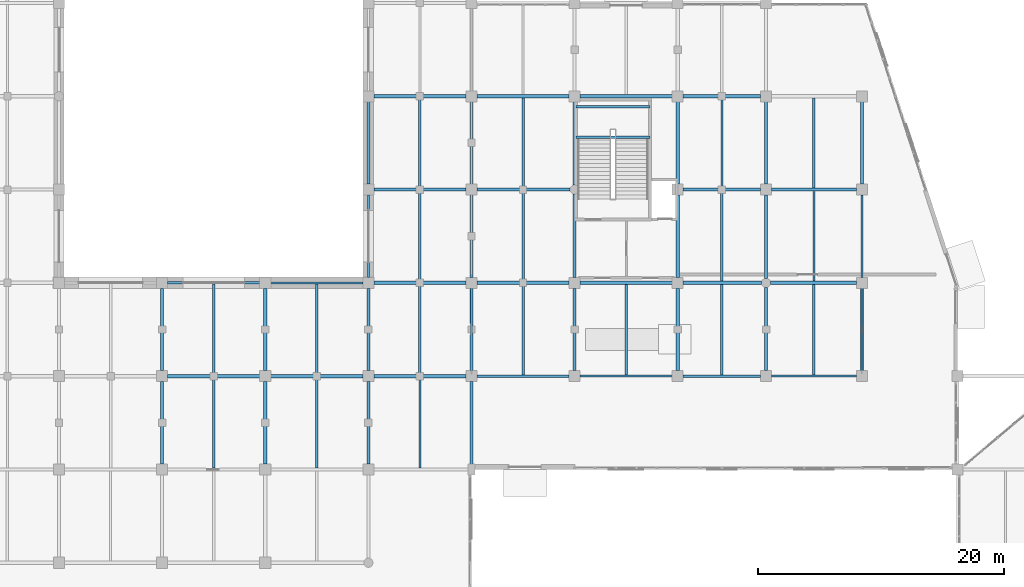
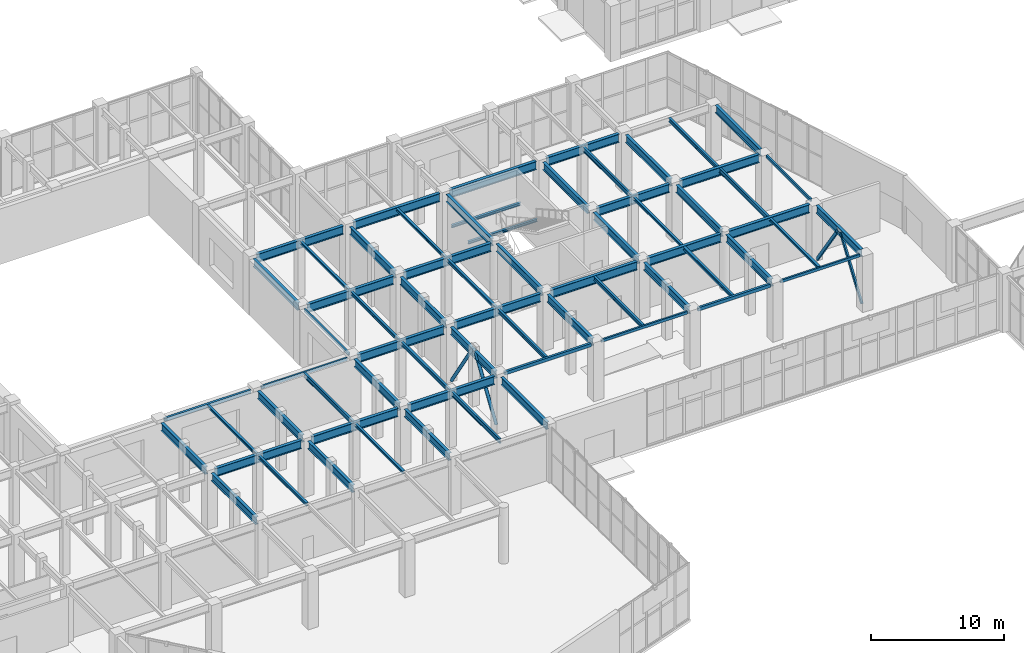
# One storey, part 38 of 139: 66 beams, 4 members.
"""IFC4 building model written with IfcOpenShell, lengths in metres."""

from ifc_helpers import new_model, si_unit, direction, frame, origin, origin_2d, place, context, subcontext, project, spatial, hollow_rectangle, hollow_circle, i_section, extrude, material, material_profile, profile_set, type_object, element, save


model = new_model("IFC4")

# Units and contexts
model_context = context("Model", 3, precision=1e-05, world=origin(), true_north=direction((0.0, 1.0)))
body_context = subcontext(model_context, "Body", "Model", "MODEL_VIEW")
ifc_project = project(units=[si_unit("LENGTHUNIT", "METRE"), si_unit("AREAUNIT", "SQUARE_METRE"), si_unit("VOLUMEUNIT", "CUBIC_METRE"), si_unit("PLANEANGLEUNIT", "RADIAN"), si_unit("MASSUNIT", "GRAM", prefix="KILO")], contexts=[model_context])

# Site, building, storey
site_placement = place(None, origin())
site = spatial("IfcSite", under=ifc_project, at=site_placement, CompositionType="ELEMENT")
building_placement = place(site_placement, origin())
building = spatial("IfcBuilding", under=site, at=building_placement, Name="Xicomal Pleat Aquarium", CompositionType="ELEMENT")
storey_placement = place(building_placement, origin())
storey = spatial("IfcBuildingStorey", under=building, at=storey_placement, Name="L01", CompositionType="ELEMENT", Elevation=0.0)

# Beams
ifc_material_1 = material(Name="Structural steel A992 Gr 50", Category="steel")
ifc_material_profile_1 = material_profile(ifc_material_1, i_section(OverallWidth=0.201904296875, OverallDepth=0.2470703125, WebThickness=0.00732421875, FlangeThickness=0.010986328125, at=origin_2d()), Name="IR 250x49")
ifc_profile_set_1 = profile_set([ifc_material_profile_1], Name="Structural steel A992 Gr 50")
beam_type_1 = type_object("IfcBeamType", Name="BM-STL-IR250", PredefinedType="JOIST", material=ifc_profile_set_1)
beam_1_placement = place(storey_placement, frame((73.199951171875, 38.136962890625, 4.9765625), z_axis=(0.0, 1.0, 0.0), x_axis=(-1.0, 0.0, 0.0)))
element("IfcBeam", 1, at=beam_1_placement, inside=storey, type_object=beam_type_1, Name="L01 framing beam FBJ-L01-09-F-1", PredefinedType="JOIST", context=body_context, shape_type="SweptSolid", body=[
    extrude(i_section(OverallWidth=0.201904296875, OverallDepth=0.2470703125, WebThickness=0.00732421875, FlangeThickness=0.010986328125, at=origin_2d()), origin(), (0.0, 0.0, 1.0), 7.360107421875),
])
beam_2_placement = place(storey_placement, frame((81.60009765625, 30.537109375, 4.9765625), z_axis=(0.0, 1.0, 0.0), x_axis=(-1.0, 0.0, 0.0)))
element("IfcBeam", 2, at=beam_2_placement, inside=storey, type_object=beam_type_1, Name="L01 framing beam FBJ-L01-10-E-1", PredefinedType="JOIST", context=body_context, shape_type="SweptSolid", body=[
    extrude(i_section(OverallWidth=0.201904296875, OverallDepth=0.2470703125, WebThickness=0.00732421875, FlangeThickness=0.010986328125, at=origin_2d()), origin(), (0.0, 0.0, 1.0), 7.325927734375),
])
for number, where, z_axis, x_axis, name in (
    (3, (90.0, 53.3369140625, 4.9765625), (0.0, 1.0, 0.0), (-1.0, 0.0, 0.0), "L01 framing beam FBJ-L01-11-H-1"),
    (4, (98.39990234375, 53.3369140625, 5.03662109375), (0.0, 1.0, 0.0), (-1.0, 0.0, 0.0), "L01 framing beam FBJ-L01-12-H-1"),
):
    element("IfcBeam", number, at=place(storey_placement, frame(where, z_axis=z_axis, x_axis=x_axis)), inside=storey, type_object=beam_type_1, Name=name, PredefinedType="JOIST", context=body_context, shape_type="SweptSolid", body=[
        extrude(i_section(OverallWidth=0.201904296875, OverallDepth=0.2470703125, WebThickness=0.00732421875, FlangeThickness=0.010986328125, at=origin_2d()), origin(), (0.0, 0.0, 1.0), 7.326171875),
    ])
beam_3_placement = place(storey_placement, frame((114.60009765625, 45.737060546875, 5.03662109375), z_axis=(0.0, 1.0, 0.0), x_axis=(-1.0, 0.0, 0.0)))
element("IfcBeam", 5, at=beam_3_placement, inside=storey, type_object=beam_type_1, Name="L01 framing beam FBJ-L01-14-G-1", PredefinedType="JOIST", context=body_context, shape_type="SweptSolid", body=[
    extrude(i_section(OverallWidth=0.201904296875, OverallDepth=0.2470703125, WebThickness=0.00732421875, FlangeThickness=0.010986328125, at=origin_2d()), origin(), (0.0, 0.0, 1.0), 7.325927734375),
])
beam_4_placement = place(storey_placement, frame((122.10009765625, 38.077880859375, 5.03662109375), z_axis=(0.0, 1.0, 0.0), x_axis=(-1.0, 0.0, 0.0)))
element("IfcBeam", 6, at=beam_4_placement, inside=storey, type_object=beam_type_1, Name="L01 framing beam FBJ-L01-15-F-1", PredefinedType="JOIST", context=body_context, shape_type="SweptSolid", body=[
    extrude(i_section(OverallWidth=0.201904296875, OverallDepth=0.2470703125, WebThickness=0.00732421875, FlangeThickness=0.010986328125, at=origin_2d()), origin(), (0.0, 0.0, 1.0), 7.385009765625),
])
for number, where, z_axis, x_axis, name in (
    (7, (102.719970703125, 59.949951171875, 2.37890625), (1.0, 0.0, 0.0), (0.0, 1.0, 0.0), "ST-07-L01 half-landing bearer beam 1"),
    (8, (102.719970703125, 57.469970703125, 2.37890625), (1.0, 0.0, 0.0), (0.0, 1.0, 0.0), "ST-07-L01 half-landing bearer beam 2"),
):
    element("IfcBeam", number, at=place(storey_placement, frame(where, z_axis=z_axis, x_axis=x_axis)), inside=storey, type_object=beam_type_1, Name=name, PredefinedType="JOIST", context=body_context, shape_type="SweptSolid", body=[
        extrude(i_section(OverallWidth=0.201904296875, OverallDepth=0.2470703125, WebThickness=0.00732421875, FlangeThickness=0.010986328125, at=origin_2d()), origin(), (0.0, 0.0, 1.0), 6.02001953125),
    ])
ifc_material_2 = material(Name="Structural steel A992 Gr 50", Category="steel")
ifc_material_profile_2 = material_profile(ifc_material_2, i_section(OverallWidth=0.202880859375, OverallDepth=0.302978515625, WebThickness=0.007568359375, FlangeThickness=0.01318359375, at=origin_2d()), Name="IR 310x60")
ifc_profile_set_2 = profile_set([ifc_material_profile_2], Name="Structural steel A992 Gr 50")
beam_type_2 = type_object("IfcBeamType", Name="BM-STL-IR310", PredefinedType="JOIST", material=ifc_profile_set_2)
for number, where, z_axis, x_axis, name in (
    (9, (73.199951171875, 30.537109375, 4.948486328125), (0.0, 1.0, 0.0), (-1.0, 0.0, 0.0), "L01 framing beam FBJ-L01-09-E-1"),
    (10, (90.0, 45.737060546875, 4.948486328125), (0.0, 1.0, 0.0), (-1.0, 0.0, 0.0), "L01 framing beam FBJ-L01-11-G-1"),
    (11, (98.39990234375, 45.737060546875, 5.008544921875), (0.0, 1.0, 0.0), (-1.0, 0.0, 0.0), "L01 framing beam FBJ-L01-12-G-1"),
):
    element("IfcBeam", number, at=place(storey_placement, frame(where, z_axis=z_axis, x_axis=x_axis)), inside=storey, type_object=beam_type_2, Name=name, PredefinedType="JOIST", context=body_context, shape_type="SweptSolid", body=[
        extrude(i_section(OverallWidth=0.202880859375, OverallDepth=0.302978515625, WebThickness=0.007568359375, FlangeThickness=0.01318359375, at=origin_2d()), origin(), (0.0, 0.0, 1.0), 7.325927734375),
    ])
beam_5_placement = place(storey_placement, frame((114.60009765625, 38.10302734375, 5.008544921875), z_axis=(0.0, 1.0, 0.0), x_axis=(-1.0, 0.0, 0.0)))
element("IfcBeam", 12, at=beam_5_placement, inside=storey, type_object=beam_type_2, Name="L01 framing beam FBJ-L01-14-F-1", PredefinedType="JOIST", context=body_context, shape_type="SweptSolid", body=[
    extrude(i_section(OverallWidth=0.202880859375, OverallDepth=0.302978515625, WebThickness=0.007568359375, FlangeThickness=0.01318359375, at=origin_2d()), origin(), (0.0, 0.0, 1.0), 7.35986328125),
])
ifc_material_3 = material(Name="Structural steel A992 Gr 50", Category="steel")
ifc_material_profile_3 = material_profile(ifc_material_3, i_section(OverallWidth=0.205078125, OverallDepth=0.35400390625, WebThickness=0.009521484375, FlangeThickness=0.016845703125, at=origin_2d()), Name="IR 360x79")
ifc_profile_set_3 = profile_set([ifc_material_profile_3], Name="Structural steel A992 Gr 50")
beam_type_3 = type_object("IfcBeamType", Name="BM-STL-IR360", PredefinedType="JOIST", material=ifc_profile_set_3)
beam_6_placement = place(storey_placement, frame((90.0, 38.136962890625, 4.923095703125), z_axis=(0.0, 1.0, 0.0), x_axis=(-1.0, 0.0, 0.0)))
element("IfcBeam", 13, at=beam_6_placement, inside=storey, type_object=beam_type_3, Name="L01 framing beam FBJ-L01-11-F-1", PredefinedType="JOIST", context=body_context, shape_type="SweptSolid", body=[
    extrude(i_section(OverallWidth=0.205078125, OverallDepth=0.35400390625, WebThickness=0.009521484375, FlangeThickness=0.016845703125, at=origin_2d()), origin(), (0.0, 0.0, 1.0), 7.325927734375),
])
beam_7_placement = place(storey_placement, frame((98.39990234375, 38.10302734375, 4.98291015625), z_axis=(0.0, 1.0, 0.0), x_axis=(-1.0, 0.0, 0.0)))
element("IfcBeam", 14, at=beam_7_placement, inside=storey, type_object=beam_type_3, Name="L01 framing beam FBJ-L01-12-F-1", PredefinedType="JOIST", context=body_context, shape_type="SweptSolid", body=[
    extrude(i_section(OverallWidth=0.205078125, OverallDepth=0.35400390625, WebThickness=0.009521484375, FlangeThickness=0.016845703125, at=origin_2d()), origin(), (0.0, 0.0, 1.0), 7.35986328125),
])
beam_8_placement = place(storey_placement, frame((106.800048828125, 38.077880859375, 4.98291015625), z_axis=(0.0, 1.0, 0.0), x_axis=(-1.0, 0.0, 0.0)))
element("IfcBeam", 15, at=beam_8_placement, inside=storey, type_object=beam_type_3, Name="L01 framing beam FBJ-L01-13-F-1", PredefinedType="JOIST", context=body_context, shape_type="SweptSolid", body=[
    extrude(i_section(OverallWidth=0.205078125, OverallDepth=0.35400390625, WebThickness=0.009521484375, FlangeThickness=0.016845703125, at=origin_2d()), origin(), (0.0, 0.0, 1.0), 7.385009765625),
])
beam_9_placement = place(storey_placement, frame((122.10009765625, 53.3369140625, 4.98291015625), z_axis=(0.0, 1.0, 0.0), x_axis=(-1.0, 0.0, 0.0)))
element("IfcBeam", 16, at=beam_9_placement, inside=storey, type_object=beam_type_3, Name="L01 framing beam FBJ-L01-15-H-1", PredefinedType="JOIST", context=body_context, shape_type="SweptSolid", body=[
    extrude(i_section(OverallWidth=0.205078125, OverallDepth=0.35400390625, WebThickness=0.009521484375, FlangeThickness=0.016845703125, at=origin_2d()), origin(), (0.0, 0.0, 1.0), 7.326171875),
])
ifc_material_4 = material(Name="Structural steel A992 Gr 50", Category="steel")
ifc_material_profile_4 = material_profile(ifc_material_4, i_section(OverallWidth=0.180908203125, OverallDepth=0.4169921875, WebThickness=0.010986328125, FlangeThickness=0.018310546875, at=origin_2d()), Name="IR 410x85")
ifc_profile_set_4 = profile_set([ifc_material_profile_4], Name="Structural steel A992 Gr 50")
beam_type_4 = type_object("IfcBeamType", Name="BM-STL-IR410", PredefinedType="JOIST", material=ifc_profile_set_4)
beam_10_placement = place(storey_placement, frame((81.60009765625, 38.136962890625, 4.8916015625), z_axis=(0.0, 1.0, 0.0), x_axis=(-1.0, 0.0, 0.0)))
element("IfcBeam", 17, at=beam_10_placement, inside=storey, type_object=beam_type_4, Name="L01 framing beam FBJ-L01-10-F-1", PredefinedType="JOIST", context=body_context, shape_type="SweptSolid", body=[
    extrude(i_section(OverallWidth=0.180908203125, OverallDepth=0.4169921875, WebThickness=0.010986328125, FlangeThickness=0.018310546875, at=origin_2d()), origin(), (0.0, 0.0, 1.0), 7.385009765625),
])
beam_11_placement = place(storey_placement, frame((90.0, 30.537109375, 4.8916015625), z_axis=(0.0, 1.0, 0.0), x_axis=(-1.0, 0.0, 0.0)))
element("IfcBeam", 18, at=beam_11_placement, inside=storey, type_object=beam_type_4, Name="L01 framing beam FBJ-L01-11-E-1", PredefinedType="JOIST", context=body_context, shape_type="SweptSolid", body=[
    extrude(i_section(OverallWidth=0.180908203125, OverallDepth=0.4169921875, WebThickness=0.010986328125, FlangeThickness=0.018310546875, at=origin_2d()), origin(), (0.0, 0.0, 1.0), 7.325927734375),
])
beam_12_placement = place(storey_placement, frame((114.60009765625, 53.3369140625, 4.951416015625), z_axis=(0.0, 1.0, 0.0), x_axis=(-1.0, 0.0, 0.0)))
element("IfcBeam", 19, at=beam_12_placement, inside=storey, type_object=beam_type_4, Name="L01 framing beam FBJ-L01-14-H-1", PredefinedType="JOIST", context=body_context, shape_type="SweptSolid", body=[
    extrude(i_section(OverallWidth=0.180908203125, OverallDepth=0.4169921875, WebThickness=0.010986328125, FlangeThickness=0.018310546875, at=origin_2d()), origin(), (0.0, 0.0, 1.0), 7.326171875),
])
beam_13_placement = place(storey_placement, frame((122.10009765625, 45.737060546875, 4.951416015625), z_axis=(0.0, 1.0, 0.0), x_axis=(-1.0, 0.0, 0.0)))
element("IfcBeam", 20, at=beam_13_placement, inside=storey, type_object=beam_type_4, Name="L01 framing beam FBJ-L01-15-G-1", PredefinedType="JOIST", context=body_context, shape_type="SweptSolid", body=[
    extrude(i_section(OverallWidth=0.180908203125, OverallDepth=0.4169921875, WebThickness=0.010986328125, FlangeThickness=0.018310546875, at=origin_2d()), origin(), (0.0, 0.0, 1.0), 7.325927734375),
])
ifc_material_5 = material(Name="Structural steel A992 Gr 50", Category="steel")
ifc_material_profile_5 = material_profile(ifc_material_5, i_section(OverallWidth=0.256103515625, OverallDepth=0.693115234375, WebThickness=0.014404296875, FlangeThickness=0.023681640625, at=origin_2d()), Name="IR 690x170")
ifc_profile_set_5 = profile_set([ifc_material_profile_5], Name="Structural steel A992 Gr 50")
beam_type_5 = type_object("IfcBeamType", Name="BM-STL-IR690", PredefinedType="BEAM", material=ifc_profile_set_5)
for number, where, z_axis, x_axis, name in (
    (21, (69.0, 30.844970703125, 4.75341796875), (0.0, 1.0, 0.0), (-1.0, 0.0, 0.0), "L01 framing beam FGY-L01-09-E-F"),
    (22, (69.0, 38.445068359375, 4.75341796875), (0.0, 1.0, 0.0), (-1.0, 0.0, 0.0), "L01 framing beam FGY-L01-09-F-G"),
    (23, (77.39990234375, 30.844970703125, 4.75341796875), (0.0, 1.0, 0.0), (-1.0, 0.0, 0.0), "L01 framing beam FGY-L01-10-E-F"),
    (24, (77.39990234375, 38.445068359375, 4.75341796875), (0.0, 1.0, 0.0), (-1.0, 0.0, 0.0), "L01 framing beam FGY-L01-10-F-G"),
    (25, (85.800048828125, 30.844970703125, 4.75341796875), (0.0, 1.0, 0.0), (-1.0, 0.0, 0.0), "L01 framing beam FGY-L01-11-E-F"),
    (26, (85.800048828125, 38.445068359375, 4.75341796875), (0.0, 1.0, 0.0), (-1.0, 0.0, 0.0), "L01 framing beam FGY-L01-11-F-G"),
    (27, (85.800048828125, 53.64501953125, 4.75341796875), (0.0, 1.0, 0.0), (-1.0, 0.0, 0.0), "L01 framing beam FGY-L01-11-H-J"),
):
    element("IfcBeam", number, at=place(storey_placement, frame(where, z_axis=z_axis, x_axis=x_axis)), inside=storey, type_object=beam_type_5, Name=name, PredefinedType="BEAM", context=body_context, shape_type="SweptSolid", body=[
        extrude(i_section(OverallWidth=0.256103515625, OverallDepth=0.693115234375, WebThickness=0.014404296875, FlangeThickness=0.023681640625, at=origin_2d()), origin(), (0.0, 0.0, 1.0), 6.7099609375),
    ])
beam_14_placement = place(storey_placement, frame((94.199951171875, 30.695068359375, 4.75341796875), z_axis=(0.0, 1.0, 0.0), x_axis=(-1.0, 0.0, 0.0)))
element("IfcBeam", 28, at=beam_14_placement, inside=storey, type_object=beam_type_5, Name="L01 framing beam FGY-L01-12-E-F", PredefinedType="BEAM", context=body_context, shape_type="SweptSolid", body=[
    extrude(i_section(OverallWidth=0.256103515625, OverallDepth=0.693115234375, WebThickness=0.014404296875, FlangeThickness=0.023681640625, at=origin_2d()), origin(), (0.0, 0.0, 1.0), 6.85986328125),
])
for number, where, z_axis, x_axis, name in (
    (29, (94.199951171875, 38.445068359375, 4.75341796875), (0.0, 1.0, 0.0), (-1.0, 0.0, 0.0), "L01 framing beam FGY-L01-12-F-G"),
    (30, (94.199951171875, 46.044921875, 4.75341796875), (0.0, 1.0, 0.0), (-1.0, 0.0, 0.0), "L01 framing beam FGY-L01-12-G-H"),
    (31, (94.199951171875, 53.64501953125, 4.75341796875), (0.0, 1.0, 0.0), (-1.0, 0.0, 0.0), "L01 framing beam FGY-L01-12-H-J"),
    (32, (102.60009765625, 38.445068359375, 4.8134765625), (0.0, 1.0, 0.0), (-1.0, 0.0, 0.0), "L01 framing beam FGY-L01-13-F-G"),
):
    element("IfcBeam", number, at=place(storey_placement, frame(where, z_axis=z_axis, x_axis=x_axis)), inside=storey, type_object=beam_type_5, Name=name, PredefinedType="BEAM", context=body_context, shape_type="SweptSolid", body=[
        extrude(i_section(OverallWidth=0.256103515625, OverallDepth=0.693115234375, WebThickness=0.014404296875, FlangeThickness=0.023681640625, at=origin_2d()), origin(), (0.0, 0.0, 1.0), 6.7099609375),
    ])
beam_15_placement = place(storey_placement, frame((102.60009765625, 46.044921875, 4.8134765625), z_axis=(0.0, 1.0, 0.0), x_axis=(-1.0, 0.0, 0.0)))
element("IfcBeam", 33, at=beam_15_placement, inside=storey, type_object=beam_type_5, Name="L01 framing beam FGY-L01-13-G-H", PredefinedType="BEAM", context=body_context, shape_type="SweptSolid", body=[
    extrude(i_section(OverallWidth=0.256103515625, OverallDepth=0.693115234375, WebThickness=0.014404296875, FlangeThickness=0.023681640625, at=origin_2d()), origin(), (0.0, 0.0, 1.0), 6.78515625),
])
beam_16_placement = place(storey_placement, frame((102.60009765625, 53.570068359375, 4.8134765625), z_axis=(0.0, 1.0, 0.0), x_axis=(-1.0, 0.0, 0.0)))
element("IfcBeam", 34, at=beam_16_placement, inside=storey, type_object=beam_type_5, Name="L01 framing beam FGY-L01-13-H-J", PredefinedType="BEAM", context=body_context, shape_type="SweptSolid", body=[
    extrude(i_section(OverallWidth=0.256103515625, OverallDepth=0.693115234375, WebThickness=0.014404296875, FlangeThickness=0.023681640625, at=origin_2d()), origin(), (0.0, 0.0, 1.0), 6.784912109375),
])
for number, where, z_axis, x_axis, name in (
    (35, (111.0, 38.445068359375, 4.8134765625), (0.0, 1.0, 0.0), (-1.0, 0.0, 0.0), "L01 framing beam FGY-L01-14-F-G"),
    (36, (111.0, 46.044921875, 4.8134765625), (0.0, 1.0, 0.0), (-1.0, 0.0, 0.0), "L01 framing beam FGY-L01-14-G-H"),
    (37, (111.0, 53.64501953125, 4.8134765625), (0.0, 1.0, 0.0), (-1.0, 0.0, 0.0), "L01 framing beam FGY-L01-14-H-J"),
):
    element("IfcBeam", number, at=place(storey_placement, frame(where, z_axis=z_axis, x_axis=x_axis)), inside=storey, type_object=beam_type_5, Name=name, PredefinedType="BEAM", context=body_context, shape_type="SweptSolid", body=[
        extrude(i_section(OverallWidth=0.256103515625, OverallDepth=0.693115234375, WebThickness=0.014404296875, FlangeThickness=0.023681640625, at=origin_2d()), origin(), (0.0, 0.0, 1.0), 6.7099609375),
    ])
for number, where, z_axis, x_axis, name in (
    (38, (118.199951171875, 38.445068359375, 4.8134765625), (0.0, 1.0, 0.0), (-1.0, 0.0, 0.0), "L01 framing beam FGY-L01-15-F-G"),
    (39, (118.199951171875, 45.969970703125, 4.8134765625), (0.0, 1.0, 0.0), (-1.0, 0.0, 0.0), "L01 framing beam FGY-L01-15-G-H"),
):
    element("IfcBeam", number, at=place(storey_placement, frame(where, z_axis=z_axis, x_axis=x_axis)), inside=storey, type_object=beam_type_5, Name=name, PredefinedType="BEAM", context=body_context, shape_type="SweptSolid", body=[
        extrude(i_section(OverallWidth=0.256103515625, OverallDepth=0.693115234375, WebThickness=0.014404296875, FlangeThickness=0.023681640625, at=origin_2d()), origin(), (0.0, 0.0, 1.0), 6.784912109375),
    ])
for number, where, z_axis, x_axis, name in (
    (40, (118.199951171875, 53.64501953125, 4.8134765625), (0.0, 1.0, 0.0), (-1.0, 0.0, 0.0), "L01 framing beam FGY-L01-15-H-J"),
    (41, (126.0, 38.445068359375, 4.8134765625), (0.0, 1.0, 0.0), (-1.0, 0.0, 0.0), "L01 framing beam FGY-L01-16-F-G"),
    (42, (126.0, 53.64501953125, 4.8134765625), (0.0, 1.0, 0.0), (-1.0, 0.0, 0.0), "L01 framing beam FGY-L01-16-H-J"),
):
    element("IfcBeam", number, at=place(storey_placement, frame(where, z_axis=z_axis, x_axis=x_axis)), inside=storey, type_object=beam_type_5, Name=name, PredefinedType="BEAM", context=body_context, shape_type="SweptSolid", body=[
        extrude(i_section(OverallWidth=0.256103515625, OverallDepth=0.693115234375, WebThickness=0.014404296875, FlangeThickness=0.023681640625, at=origin_2d()), origin(), (0.0, 0.0, 1.0), 6.7099609375),
    ])
ifc_material_6 = material(Name="Structural steel A992 Gr 50", Category="steel")
ifc_material_profile_6 = material_profile(ifc_material_6, i_section(OverallWidth=0.26806640625, OverallDepth=0.77001953125, WebThickness=0.015625, FlangeThickness=0.025390625, at=origin_2d()), Name="IR 760x196")
ifc_profile_set_6 = profile_set([ifc_material_profile_6], Name="Structural steel A992 Gr 50")
beam_type_6 = type_object("IfcBeamType", Name="BM-STL-IR760", PredefinedType="BEAM", material=ifc_profile_set_6)
for number, where, z_axis, x_axis, name in (
    (43, (69.445068359375, 38.0, 4.715087890625), (1.0, 0.0, 0.0), (0.0, 1.0, 0.0), "L01 framing beam FGX-L01-09-10-F"),
    (44, (77.844970703125, 38.0, 4.715087890625), (1.0, 0.0, 0.0), (0.0, 1.0, 0.0), "L01 framing beam FGX-L01-10-11-F"),
):
    element("IfcBeam", number, at=place(storey_placement, frame(where, z_axis=z_axis, x_axis=x_axis)), inside=storey, type_object=beam_type_6, Name=name, PredefinedType="BEAM", context=body_context, shape_type="SweptSolid", body=[
        extrude(i_section(OverallWidth=0.26806640625, OverallDepth=0.77001953125, WebThickness=0.015625, FlangeThickness=0.025390625, at=origin_2d()), origin(), (0.0, 0.0, 1.0), 7.510009765625),
    ])
for number, where, z_axis, x_axis, name in (
    (45, (86.2451171875, 38.0, 4.715087890625), (1.0, 0.0, 0.0), (0.0, 1.0, 0.0), "L01 framing beam FGX-L01-11-12-F"),
    (46, (86.2451171875, 45.60009765625, 4.715087890625), (1.0, 0.0, 0.0), (0.0, 1.0, 0.0), "L01 framing beam FGX-L01-11-12-G"),
):
    element("IfcBeam", number, at=place(storey_placement, frame(where, z_axis=z_axis, x_axis=x_axis)), inside=storey, type_object=beam_type_6, Name=name, PredefinedType="BEAM", context=body_context, shape_type="SweptSolid", body=[
        extrude(i_section(OverallWidth=0.26806640625, OverallDepth=0.77001953125, WebThickness=0.015625, FlangeThickness=0.025390625, at=origin_2d()), origin(), (0.0, 0.0, 1.0), 7.509765625),
    ])
for number, where, z_axis, x_axis, name in (
    (47, (94.64501953125, 45.60009765625, 4.77490234375), (1.0, 0.0, 0.0), (0.0, 1.0, 0.0), "L01 framing beam FGX-L01-12-13-G"),
    (48, (103.044921875, 45.60009765625, 4.77490234375), (1.0, 0.0, 0.0), (0.0, 1.0, 0.0), "L01 framing beam FGX-L01-13-14-G"),
):
    element("IfcBeam", number, at=place(storey_placement, frame(where, z_axis=z_axis, x_axis=x_axis)), inside=storey, type_object=beam_type_6, Name=name, PredefinedType="BEAM", context=body_context, shape_type="SweptSolid", body=[
        extrude(i_section(OverallWidth=0.26806640625, OverallDepth=0.77001953125, WebThickness=0.015625, FlangeThickness=0.025390625, at=origin_2d()), origin(), (0.0, 0.0, 1.0), 7.510009765625),
    ])
beam_17_placement = place(storey_placement, frame((111.445068359375, 45.60009765625, 4.77490234375), z_axis=(1.0, 0.0, 0.0), x_axis=(0.0, 1.0, 0.0)))
element("IfcBeam", 49, at=beam_17_placement, inside=storey, type_object=beam_type_6, Name="L01 framing beam FGX-L01-14-15-G", PredefinedType="BEAM", context=body_context, shape_type="SweptSolid", body=[
    extrude(i_section(OverallWidth=0.26806640625, OverallDepth=0.77001953125, WebThickness=0.015625, FlangeThickness=0.025390625, at=origin_2d()), origin(), (0.0, 0.0, 1.0), 6.385009765625),
])
beam_18_placement = place(storey_placement, frame((118.570068359375, 45.60009765625, 4.77490234375), z_axis=(1.0, 0.0, 0.0), x_axis=(0.0, 1.0, 0.0)))
element("IfcBeam", 50, at=beam_18_placement, inside=storey, type_object=beam_type_6, Name="L01 framing beam FGX-L01-15-16-G", PredefinedType="BEAM", context=body_context, shape_type="SweptSolid", body=[
    extrude(i_section(OverallWidth=0.26806640625, OverallDepth=0.77001953125, WebThickness=0.015625, FlangeThickness=0.025390625, at=origin_2d()), origin(), (0.0, 0.0, 1.0), 6.98486328125),
])
beam_19_placement = place(storey_placement, frame((86.2451171875, 53.199951171875, 4.715087890625), z_axis=(1.0, 0.0, 0.0), x_axis=(0.0, 1.0, 0.0)))
element("IfcBeam", 51, at=beam_19_placement, inside=storey, type_object=beam_type_6, Name="L01 framing beam FGX-L01-11-12-H", PredefinedType="BEAM", context=body_context, shape_type="SweptSolid", body=[
    extrude(i_section(OverallWidth=0.26806640625, OverallDepth=0.77001953125, WebThickness=0.015625, FlangeThickness=0.025390625, at=origin_2d()), origin(), (0.0, 0.0, 1.0), 7.509765625),
])
beam_20_placement = place(storey_placement, frame((94.64501953125, 53.199951171875, 4.77490234375), z_axis=(1.0, 0.0, 0.0), x_axis=(0.0, 1.0, 0.0)))
element("IfcBeam", 52, at=beam_20_placement, inside=storey, type_object=beam_type_6, Name="L01 framing beam FGX-L01-12-13-H", PredefinedType="BEAM", context=body_context, shape_type="SweptSolid", body=[
    extrude(i_section(OverallWidth=0.26806640625, OverallDepth=0.77001953125, WebThickness=0.015625, FlangeThickness=0.025390625, at=origin_2d()), origin(), (0.0, 0.0, 1.0), 7.5849609375),
])
beam_21_placement = place(storey_placement, frame((111.445068359375, 53.199951171875, 4.77490234375), z_axis=(1.0, 0.0, 0.0), x_axis=(0.0, 1.0, 0.0)))
element("IfcBeam", 53, at=beam_21_placement, inside=storey, type_object=beam_type_6, Name="L01 framing beam FGX-L01-14-15-H", PredefinedType="BEAM", context=body_context, shape_type="SweptSolid", body=[
    extrude(i_section(OverallWidth=0.26806640625, OverallDepth=0.77001953125, WebThickness=0.015625, FlangeThickness=0.025390625, at=origin_2d()), origin(), (0.0, 0.0, 1.0), 6.309814453125),
])
beam_22_placement = place(storey_placement, frame((118.64501953125, 53.199951171875, 4.77490234375), z_axis=(1.0, 0.0, 0.0), x_axis=(0.0, 1.0, 0.0)))
element("IfcBeam", 54, at=beam_22_placement, inside=storey, type_object=beam_type_6, Name="L01 framing beam FGX-L01-15-16-H", PredefinedType="BEAM", context=body_context, shape_type="SweptSolid", body=[
    extrude(i_section(OverallWidth=0.26806640625, OverallDepth=0.77001953125, WebThickness=0.015625, FlangeThickness=0.025390625, at=origin_2d()), origin(), (0.0, 0.0, 1.0), 6.909912109375),
])
beam_23_placement = place(storey_placement, frame((86.2451171875, 60.800048828125, 4.715087890625), z_axis=(1.0, 0.0, 0.0), x_axis=(0.0, 1.0, 0.0)))
element("IfcBeam", 55, at=beam_23_placement, inside=storey, type_object=beam_type_6, Name="L01 framing beam FGX-L01-11-12-J", PredefinedType="BEAM", context=body_context, shape_type="SweptSolid", body=[
    extrude(i_section(OverallWidth=0.26806640625, OverallDepth=0.77001953125, WebThickness=0.015625, FlangeThickness=0.025390625, at=origin_2d()), origin(), (0.0, 0.0, 1.0), 7.509765625),
])
for number, where, z_axis, x_axis, name in (
    (56, (94.64501953125, 60.800048828125, 4.77490234375), (1.0, 0.0, 0.0), (0.0, 1.0, 0.0), "L01 framing beam FGX-L01-12-13-J"),
    (57, (103.044921875, 60.800048828125, 4.77490234375), (1.0, 0.0, 0.0), (0.0, 1.0, 0.0), "L01 framing beam FGX-L01-13-14-J"),
):
    element("IfcBeam", number, at=place(storey_placement, frame(where, z_axis=z_axis, x_axis=x_axis)), inside=storey, type_object=beam_type_6, Name=name, PredefinedType="BEAM", context=body_context, shape_type="SweptSolid", body=[
        extrude(i_section(OverallWidth=0.26806640625, OverallDepth=0.77001953125, WebThickness=0.015625, FlangeThickness=0.025390625, at=origin_2d()), origin(), (0.0, 0.0, 1.0), 7.510009765625),
    ])
beam_24_placement = place(storey_placement, frame((111.445068359375, 60.800048828125, 4.77490234375), z_axis=(1.0, 0.0, 0.0), x_axis=(0.0, 1.0, 0.0)))
element("IfcBeam", 58, at=beam_24_placement, inside=storey, type_object=beam_type_6, Name="L01 framing beam FGX-L01-14-15-J", PredefinedType="BEAM", context=body_context, shape_type="SweptSolid", body=[
    extrude(i_section(OverallWidth=0.26806640625, OverallDepth=0.77001953125, WebThickness=0.015625, FlangeThickness=0.025390625, at=origin_2d()), origin(), (0.0, 0.0, 1.0), 6.309814453125),
])
ifc_material_7 = material(Name="Structural steel A500 Gr C", Category="steel")
ifc_material_profile_7 = material_profile(ifc_material_7, hollow_rectangle(XDim=0.14990234375, YDim=0.25, WallThickness=0.010009765625, at=origin_2d()), Name="OR 250x150x10")
ifc_profile_set_7 = profile_set([ifc_material_profile_7], Name="Structural steel A500 Gr C")
beam_type_7 = type_object("IfcBeamType", Name="BM-STL-OR250", PredefinedType="SPANDREL", material=ifc_profile_set_7)
beam_25_placement = place(storey_placement, frame((103.044921875, 38.0, 5.034912109375), z_axis=(1.0, 0.0, 0.0), x_axis=(0.0, 1.0, 0.0)))
element("IfcBeam", 59, at=beam_25_placement, inside=storey, type_object=beam_type_7, Name="L01 framing beam FGX-L01-13-14-F", PredefinedType="SPANDREL", context=body_context, shape_type="SweptSolid", body=[
    extrude(hollow_rectangle(XDim=0.14990234375, YDim=0.25, WallThickness=0.010009765625, at=origin_2d()), origin(), (0.0, 0.0, 1.0), 7.510009765625),
])
beam_26_placement = place(storey_placement, frame((118.64501953125, 38.0, 5.034912109375), z_axis=(1.0, 0.0, 0.0), x_axis=(0.0, 1.0, 0.0)))
element("IfcBeam", 60, at=beam_26_placement, inside=storey, type_object=beam_type_7, Name="L01 framing beam FGX-L01-15-16-F", PredefinedType="SPANDREL", context=body_context, shape_type="SweptSolid", body=[
    extrude(hollow_rectangle(XDim=0.14990234375, YDim=0.25, WallThickness=0.010009765625, at=origin_2d()), origin(), (0.0, 0.0, 1.0), 6.909912109375),
])
beam_27_placement = place(storey_placement, frame((77.844970703125, 45.60009765625, 4.97509765625), z_axis=(1.0, 0.0, 0.0), x_axis=(0.0, 1.0, 0.0)))
element("IfcBeam", 61, at=beam_27_placement, inside=storey, type_object=beam_type_7, Name="L01 framing beam FGX-L01-10-11-G", PredefinedType="SPANDREL", context=body_context, shape_type="SweptSolid", body=[
    extrude(hollow_rectangle(XDim=0.14990234375, YDim=0.25, WallThickness=0.010009765625, at=origin_2d()), origin(), (0.0, 0.0, 1.0), 7.510009765625),
])
for number, where, z_axis, x_axis, name in (
    (62, (85.800048828125, 46.044921875, 4.97509765625), (0.0, 1.0, 0.0), (-1.0, 0.0, 0.0), "L01 framing beam FGY-L01-11-G-H"),
    (63, (126.0, 46.044921875, 5.034912109375), (0.0, 1.0, 0.0), (-1.0, 0.0, 0.0), "L01 framing beam FGY-L01-16-G-H"),
):
    element("IfcBeam", number, at=place(storey_placement, frame(where, z_axis=z_axis, x_axis=x_axis)), inside=storey, type_object=beam_type_7, Name=name, PredefinedType="SPANDREL", context=body_context, shape_type="SweptSolid", body=[
        extrude(hollow_rectangle(XDim=0.14990234375, YDim=0.25, WallThickness=0.010009765625, at=origin_2d()), origin(), (0.0, 0.0, 1.0), 6.7099609375),
    ])
ifc_material_8 = material(Name="Structural steel A500 Gr C", Category="steel")
ifc_material_profile_8 = material_profile(ifc_material_8, hollow_rectangle(XDim=0.199951171875, YDim=0.300048828125, WallThickness=0.011962890625, at=origin_2d()), Name="OR 300x200x12")
ifc_profile_set_8 = profile_set([ifc_material_profile_8], Name="Structural steel A500 Gr C")
beam_type_8 = type_object("IfcBeamType", Name="BM-STL-OR300", PredefinedType="SPANDREL", material=ifc_profile_set_8)
beam_28_placement = place(storey_placement, frame((94.64501953125, 38.0, 5.010009765625), z_axis=(1.0, 0.0, 0.0), x_axis=(0.0, 1.0, 0.0)))
element("IfcBeam", 64, at=beam_28_placement, inside=storey, type_object=beam_type_8, Name="L01 framing beam FGX-L01-12-13-F", PredefinedType="SPANDREL", context=body_context, shape_type="SweptSolid", body=[
    extrude(hollow_rectangle(XDim=0.199951171875, YDim=0.300048828125, WallThickness=0.011962890625, at=origin_2d()), origin(), (0.0, 0.0, 1.0), 7.510009765625),
])
beam_29_placement = place(storey_placement, frame((111.445068359375, 38.0, 5.010009765625), z_axis=(1.0, 0.0, 0.0), x_axis=(0.0, 1.0, 0.0)))
element("IfcBeam", 65, at=beam_29_placement, inside=storey, type_object=beam_type_8, Name="L01 framing beam FGX-L01-14-15-F", PredefinedType="SPANDREL", context=body_context, shape_type="SweptSolid", body=[
    extrude(hollow_rectangle(XDim=0.199951171875, YDim=0.300048828125, WallThickness=0.011962890625, at=origin_2d()), origin(), (0.0, 0.0, 1.0), 6.309814453125),
])
beam_30_placement = place(storey_placement, frame((69.445068359375, 45.60009765625, 4.949951171875), z_axis=(1.0, 0.0, 0.0), x_axis=(0.0, 1.0, 0.0)))
element("IfcBeam", 66, at=beam_30_placement, inside=storey, type_object=beam_type_8, Name="L01 framing beam FGX-L01-09-10-G", PredefinedType="SPANDREL", context=body_context, shape_type="SweptSolid", body=[
    extrude(hollow_rectangle(XDim=0.199951171875, YDim=0.300048828125, WallThickness=0.011962890625, at=origin_2d()), origin(), (0.0, 0.0, 1.0), 7.510009765625),
])

# Members
ifc_material_9 = material(Name="Structural steel A500 Gr C", Category="steel")
ifc_material_profile_9 = material_profile(ifc_material_9, hollow_circle(Radius=0.136474609375, WallThickness=0.013916015625, at=origin_2d()), Name="OC 273x14")
ifc_profile_set_9 = profile_set([ifc_material_profile_9], Name="Structural steel A500 Gr C")
member_type_1 = type_object("IfcMemberType", Name="MEM-BR-OC273", PredefinedType="BRACE", material=ifc_profile_set_9)
for number, where, z_axis, x_axis, name in (
    (67, (94.199951171875, 38.429931640625, 0.14990234375), (0.0, 0.549162931095, 0.835715307453), (-1.0, 0.0, 0.0), "L01 chevron brace 16A"),
    (68, (94.199951171875, 45.169921875, 0.14990234375), (0.0, -0.549162931095, 0.835715307453), (1.0, 0.0, 0.0), "L01 chevron brace 16B"),
):
    element("IfcMember", number, at=place(storey_placement, frame(where, z_axis=z_axis, x_axis=x_axis)), inside=storey, type_object=member_type_1, Name=name, PredefinedType="BRACE", context=body_context, shape_type="SweptSolid", body=[
        extrude(hollow_circle(Radius=0.136474609375, WallThickness=0.013916015625, at=origin_2d()), origin(), (0.0, 0.0, 1.0), 5.863525390625),
    ])
ifc_material_10 = material(Name="Structural steel A500 Gr C", Category="steel")
ifc_material_profile_10 = material_profile(ifc_material_10, hollow_rectangle(XDim=0.14990234375, YDim=0.25, WallThickness=0.010009765625, at=origin_2d()), Name="OR 250x150x10")
ifc_profile_set_10 = profile_set([ifc_material_profile_10], Name="Structural steel A500 Gr C")
member_type_2 = type_object("IfcMemberType", Name="MEM-BR-OR250", PredefinedType="BRACE", material=ifc_profile_set_10)
for number, where, z_axis, x_axis, name in (
    (69, (126.0, 38.429931640625, 0.14990234375), (0.0, 0.568458922293, 0.82271164673), (-1.0, 0.0, 0.0), "L01 chevron brace 20A"),
    (70, (126.0, 45.169921875, 0.14990234375), (0.0, -0.568458922293, 0.82271164673), (1.0, 0.0, 0.0), "L01 chevron brace 20B"),
):
    element("IfcMember", number, at=place(storey_placement, frame(where, z_axis=z_axis, x_axis=x_axis)), inside=storey, type_object=member_type_2, Name=name, PredefinedType="BRACE", context=body_context, shape_type="SweptSolid", body=[
        extrude(hollow_rectangle(XDim=0.14990234375, YDim=0.25, WallThickness=0.010009765625, at=origin_2d()), origin(), (0.0, 0.0, 1.0), 5.664306640625),
    ])

save(model, "model.ifc")
